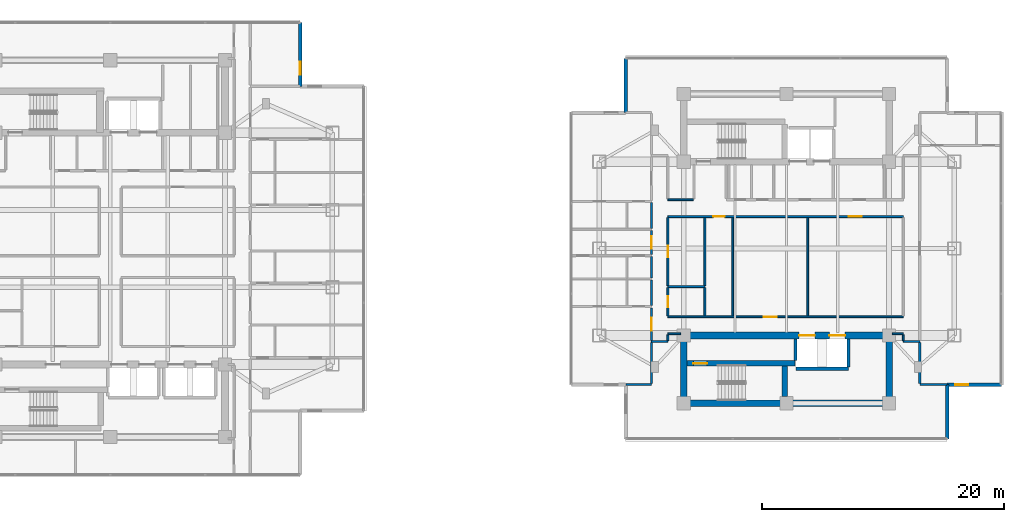
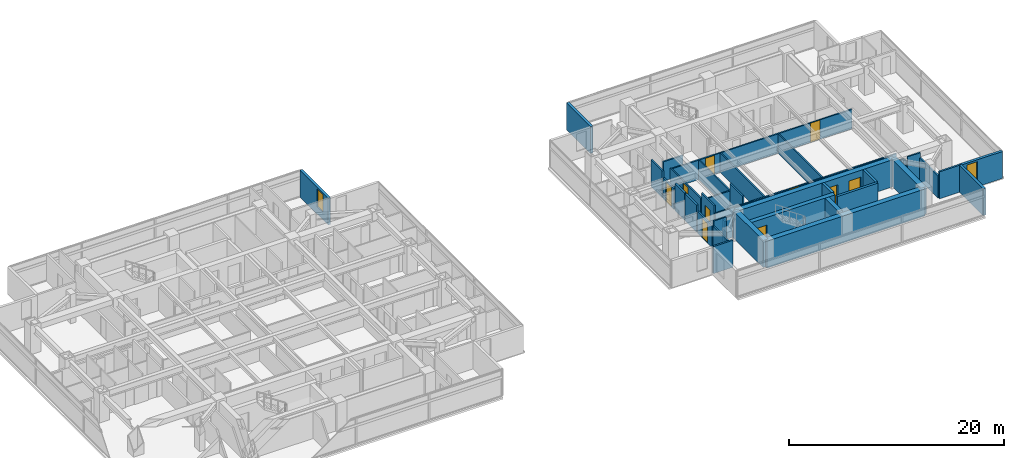
# One storey, part 17 of 25: 38 walls, 10 doors, 2 windows, 12 openings.
"""IFC4 building model written with IfcOpenShell, lengths in metres."""

import ifcopenshell
import ifcopenshell.guid

model = None  # the IFC model being written
_history = None  # IfcOwnerHistory: only IFC2X3 demands one
_inside = {}  # id of a spatial element -> (the spatial element, [elements in it])
_under = {}  # id of a project, library or spatial element -> (it, [spatial elements below it])
_declared = {}  # id of a project -> (the project, [libraries it declares])
_typed = {}  # id of a type object -> (the type object, [elements of that type])
_made_of = {}  # id of a material, layer set ... -> (it, [elements and type objects made of it])


def new_model(schema):
    """Start an empty IFC model of exactly this schema.

    Asked for "IFC4X3", IfcOpenShell would pick the latest addendum, in which some entities
    have other attributes; the version numbers below select the first issue.
    IFC2X3 requires an IfcOwnerHistory on every rooted entity: one is made here for all.
    """
    global model, _history
    if schema == "IFC4X3":
        model = ifcopenshell.file(schema_version=(4, 3, 0, 0))
    else:
        model = ifcopenshell.file(schema=schema)
    _inside.clear()
    _under.clear()
    _declared.clear()
    _typed.clear()
    _made_of.clear()
    _history = None
    if model.schema == "IFC2X3":
        org = make("IfcOrganization", Name="unknown")
        user = make(
            "IfcPersonAndOrganization",
            ThePerson=make("IfcPerson", FamilyName="unknown"),
            TheOrganization=org,
        )
        app = make(
            "IfcApplication",
            ApplicationDeveloper=org,
            Version="unknown",
            ApplicationFullName="unknown",
            ApplicationIdentifier="unknown",
        )
        _history = make(
            "IfcOwnerHistory",
            OwningUser=user,
            OwningApplication=app,
            ChangeAction="ADDED",
            CreationDate=0,
        )
    return model


def make(cls, **values):
    """One entity of the class cls with the attributes given. An attribute that is None is left unset."""
    return model.create_entity(
        cls, **{name: value for name, value in values.items() if value is not None}
    )


def rooted(cls, **values):
    """An entity with a GlobalId (a new one), such as an element, a storey or a relation."""
    return make(cls, GlobalId=ifcopenshell.guid.new(), OwnerHistory=_history, **values)


def si_unit(unit_type, name, prefix=None):
    """IfcSIUnit, for example si_unit("LENGTHUNIT", "METRE", prefix="MILLI")."""
    return make("IfcSIUnit", UnitType=unit_type, Prefix=prefix, Name=name)


def assignment(units):
    """IfcUnitAssignment: the units of a project."""
    return None if units is None else make("IfcUnitAssignment", Units=units)


def point(xyz):
    """IfcCartesianPoint."""
    return None if xyz is None else make("IfcCartesianPoint", Coordinates=xyz)


def direction(xyz):
    """IfcDirection."""
    return None if xyz is None else make("IfcDirection", DirectionRatios=xyz)


def frame(location, z_axis=None, x_axis=None):
    """IfcAxis2Placement3D, a coordinate frame: its origin and axes. An axis left out is left unset."""
    return make(
        "IfcAxis2Placement3D",
        Location=point(location),
        Axis=direction(z_axis),
        RefDirection=direction(x_axis),
    )


def frame_2d(location, x_axis=None):
    """IfcAxis2Placement2D, a coordinate frame in the plane: its origin and x axis."""
    return make(
        "IfcAxis2Placement2D", Location=point(location), RefDirection=direction(x_axis)
    )


def origin():
    """The frame at (0, 0, 0) with its axes left unset."""
    return frame((0.0, 0.0, 0.0))


def place(relative_to, where):
    """IfcLocalPlacement: puts the frame where relative to a parent placement (None: the world)."""
    return make(
        "IfcLocalPlacement", PlacementRelTo=relative_to, RelativePlacement=where
    )


def context(
    kind, dimensions, precision=None, world=None, true_north=None, identifier=None
):
    """IfcGeometricRepresentationContext, for example the 3D "Model" context."""
    return make(
        "IfcGeometricRepresentationContext",
        ContextIdentifier=identifier,
        ContextType=kind,
        CoordinateSpaceDimension=dimensions,
        Precision=precision,
        WorldCoordinateSystem=world,
        TrueNorth=true_north,
    )


def subcontext(parent, identifier, kind, view, scale=None):
    """IfcGeometricRepresentationSubContext, for example "Body" below "Model"."""
    return make(
        "IfcGeometricRepresentationSubContext",
        ContextIdentifier=identifier,
        ContextType=kind,
        ParentContext=parent,
        TargetScale=scale,
        TargetView=view,
    )


def project(units=None, contexts=None):
    """IfcProject with its units and contexts."""
    return rooted(
        "IfcProject",
        Name="project",
        RepresentationContexts=contexts,
        UnitsInContext=assignment(units),
    )


def spatial(cls, under=None, at=None, **own):
    """A site, building, storey or space (cls), placed at a placement, below another one or the project."""
    s = rooted(cls, ObjectPlacement=at, **own)
    if under is not None:
        _under.setdefault(under.id(), (under, []))[1].append(s)
    return s


def profile(cls, at=None, kind="AREA", **sizes):
    """A parametric profile (cls). Its sizes go by their IFC names, for example OverallWidth=200.0."""
    return make(cls, ProfileType=kind, Position=at, **sizes)


def rectangle(**sizes):
    """IfcRectangleProfileDef."""
    return profile("IfcRectangleProfileDef", **sizes)


def extrude(swept, where, along, depth):
    """IfcExtrudedAreaSolid: the profile swept, set in the frame where, extruded along a direction by depth."""
    return make(
        "IfcExtrudedAreaSolid",
        SweptArea=swept,
        Position=where,
        ExtrudedDirection=direction(along),
        Depth=depth,
    )


def shape(context_of_items, identifier, shape_type, items):
    """IfcShapeRepresentation: the items that make up one representation, for example the "Body"."""
    return make(
        "IfcShapeRepresentation",
        ContextOfItems=context_of_items,
        RepresentationIdentifier=identifier,
        RepresentationType=shape_type,
        Items=items,
    )


def material(Name=None, Category=None):
    """IfcMaterial."""
    return make("IfcMaterial", Name=Name, Category=Category)


def layer(
    of_material, thickness, ventilated=None, Name=None, Category=None, Priority=None
):
    """IfcMaterialLayer: one layer of a wall or slab, of a material (None: an air gap)."""
    return make(
        "IfcMaterialLayer",
        Material=of_material,
        LayerThickness=thickness,
        IsVentilated=ventilated,
        Name=Name,
        Category=Category,
        Priority=Priority,
    )


def layer_set(layers, Name=None):
    """IfcMaterialLayerSet."""
    return make("IfcMaterialLayerSet", MaterialLayers=layers, LayerSetName=Name)


def made_of(thing, what):
    """Note that an element or type object is made of a material, layer set ...; save() writes the relation."""
    if what is not None:
        _made_of.setdefault(what.id(), (what, []))[1].append(thing)
    return thing


def type_object(cls, material=None, **own):
    """A type object (cls), such as IfcWallType, which elements share."""
    return made_of(rooted(cls, **own), material)


def element(
    cls,
    number,
    at=None,
    inside=None,
    cuts=None,
    type_object=None,
    material=None,
    context=None,
    identifier="Body",
    shape_type=None,
    held_by="IfcProductDefinitionShape",
    body=None,
    shapes=None,
    **own,
):
    """One element of the class cls, such as IfcWall. Its Tag is "e" and its number.

    at: its placement. inside: the storey or other place that contains it. cuts: it is an
    opening in that element (IfcRelVoidsElement). A single representation is given by context,
    identifier, shape_type and body (its items); several are given by shapes. held_by: the class
    of the entity that holds the representations. save() writes the other relations.
    """
    e = rooted(cls, Tag="e%d" % number, ObjectPlacement=at, **own)
    if body is not None:
        shapes = [shape(context, identifier, shape_type, body)]
    if shapes is not None:
        e.Representation = make(held_by, Representations=shapes)
    if inside is not None:
        _inside.setdefault(inside.id(), (inside, []))[1].append(e)
    if cuts is not None:
        rooted(
            "IfcRelVoidsElement", RelatingBuildingElement=cuts, RelatedOpeningElement=e
        )
    if type_object is not None:
        _typed.setdefault(type_object.id(), (type_object, []))[1].append(e)
    return made_of(e, material)


def fill(opening, filler):
    """IfcRelFillsElement: the door or window that sits in an opening."""
    return rooted(
        "IfcRelFillsElement",
        RelatingOpeningElement=opening,
        RelatedBuildingElement=filler,
    )


def aggregate(whole, parts):
    """IfcRelAggregates: a whole, such as a stair, and the parts it consists of."""
    return rooted("IfcRelAggregates", RelatingObject=whole, RelatedObjects=parts)


def save(model, path):
    """Write the relations noted so far, then the file.

    IfcRelAggregates (storeys below a building ...), IfcRelContainedInSpatialStructure (elements
    in a storey), IfcRelDefinesByType, IfcRelAssociatesMaterial and IfcRelDeclares: one each for
    every whole, place, type object, material and project.
    """
    for whole, parts in _under.values():
        aggregate(whole, parts)
    for where, things in _inside.values():
        rooted(
            "IfcRelContainedInSpatialStructure",
            RelatedElements=things,
            RelatingStructure=where,
        )
    for kind, things in _typed.values():
        rooted("IfcRelDefinesByType", RelatedObjects=things, RelatingType=kind)
    for what, things in _made_of.values():
        rooted("IfcRelAssociatesMaterial", RelatedObjects=things, RelatingMaterial=what)
    for by, libraries in _declared.values():
        rooted("IfcRelDeclares", RelatingContext=by, RelatedDefinitions=libraries)
    model.write(path)


model = new_model("IFC4")

# Units and contexts
model_context = context("Model", 3, precision=1e-05, world=origin(), true_north=direction((0.0, 1.0)))
body_context = subcontext(model_context, "Body", "Model", "MODEL_VIEW")
ifc_project = project(units=[si_unit("LENGTHUNIT", "METRE"), si_unit("AREAUNIT", "SQUARE_METRE"), si_unit("VOLUMEUNIT", "CUBIC_METRE"), si_unit("PLANEANGLEUNIT", "RADIAN"), si_unit("MASSUNIT", "GRAM", prefix="KILO")], contexts=[model_context])

# Site, building, storey
site_placement = place(None, origin())
site = spatial("IfcSite", under=ifc_project, at=site_placement, CompositionType="ELEMENT")
building_placement = place(site_placement, origin())
building = spatial("IfcBuilding", under=site, at=building_placement, Name="Mirazonda Arch Towers", CompositionType="ELEMENT")
storey_placement = place(building_placement, frame((0.0, 0.0, 131.300048828125)))
storey = spatial("IfcBuildingStorey", under=building, at=storey_placement, Name="L37", CompositionType="ELEMENT", Elevation=131.300048828125)

# Wall, opening, door
ifc_material_1 = material(Name="Concrete C50/60", Category="concrete")
ifc_layer_1 = layer(ifc_material_1, 0.449951171875, Name="WALL-CORE-450")
ifc_layer_set_1 = layer_set([ifc_layer_1], Name="Concrete C50/60")
wall_type_1 = type_object("IfcWallType", Name="WALL-CORE-450", PredefinedType="SHEAR", material=ifc_layer_set_1)
wall_1_placement = place(storey_placement, frame((68.27001953125, 18.5, 0.0), z_axis=(0.0, 0.0, 1.0), x_axis=(1.0, 0.0, 0.0)))
wall_1 = element("IfcWall", 1, at=wall_1_placement, inside=storey, type_object=wall_type_1, Name="L37 Stair Core Shear Wall 014", PredefinedType="SHEAR", context=body_context, shape_type="SweptSolid", body=[
    extrude(rectangle(XDim=8.949951171875, YDim=0.449951171875, at=frame_2d((4.47509765625, 0.0))), origin(), (0.0, 0.0, 1.0), 3.079833984375),
])
opening_1_placement = place(wall_1_placement, frame((0.52001953125, 0.0, 0.0)))
opening_1 = element("IfcOpeningElement", 2, at=opening_1_placement, cuts=wall_1, Name="Opening DR-135", PredefinedType="OPENING", context=body_context, shape_type="SweptSolid", body=[
    extrude(rectangle(XDim=1.14990234375, YDim=2.199951171875, at=frame_2d((0.574951171875, 1.10009765625))), frame((0.0, 0.23486328125, 0.0), z_axis=(0.0, -1.0, 0.0), x_axis=(1.0, 0.0, 0.0)), (0.0, 0.0, 1.0), 0.469970703125),
])
ifc_material_2 = material(Name="Architectural Brushed Steel S355", Category="steel")
door_type_1 = type_object("IfcDoorType", Name="DOOR-STAIR-FD90-1150", OperationType="NOTDEFINED", PredefinedType="DOOR", material=ifc_material_2)
door_1_placement = place(opening_1_placement, origin())
door_1 = element("IfcDoor", 3, at=door_1_placement, inside=storey, type_object=door_type_1, Name="L37 East Protected Stair South Door", OperationType="SINGLE_SWING_RIGHT", OverallHeight=2.199951171875, OverallWidth=1.14990234375, PredefinedType="DOOR", context=body_context, shape_type="SweptSolid", body=[
    extrude(rectangle(XDim=1.14990234375, YDim=2.199951171875, at=frame_2d((0.574951171875, 1.10009765625))), frame((0.0, 0.02490234375, 0.0), z_axis=(0.0, -1.0, 0.0), x_axis=(1.0, 0.0, 0.0)), (0.0, 0.0, 1.0), 0.050048828125),
])
fill(opening_1, door_1)

# Walls
wall_2_placement = place(storey_placement, frame((76.360107421875, 15.764892578125, 0.0), z_axis=(0.0, 0.0, 1.0), x_axis=(0.0, 1.0, 0.0)))
element("IfcWall", 4, at=wall_2_placement, inside=storey, type_object=wall_type_1, Name="L37 Stair Core Shear Wall 147", PredefinedType="SHEAR", context=body_context, shape_type="SweptSolid", body=[
    extrude(rectangle(XDim=2.5, YDim=0.449951171875, at=frame_2d((1.25, 0.0))), origin(), (0.0, 0.0, 1.0), 3.079833984375),
])
ifc_layer_2 = layer(ifc_material_1, 0.550048828125, Name="WALL-CORE-550")
ifc_layer_set_2 = layer_set([ifc_layer_2], Name="Concrete C50/60")
wall_type_2 = type_object("IfcWallType", Name="WALL-CORE-550", PredefinedType="SHEAR", material=ifc_layer_set_2)
wall_3_placement = place(storey_placement, frame((68.0, 15.199951171875, 0.0), z_axis=(0.0, 0.0, 1.0), x_axis=(1.0, 0.0, 0.0)))
element("IfcWall", 5, at=wall_3_placement, inside=storey, type_object=wall_type_2, Name="L37 T2S-S Core Shear Wall", PredefinedType="SHEAR", context=body_context, shape_type="SweptSolid", body=[
    extrude(rectangle(XDim=17.0, YDim=0.550048828125, at=frame_2d((8.5, 0.0))), origin(), (0.0, 0.0, 1.0), 3.079833984375),
])
for number, where, z_axis, x_axis, name in (
    (6, (68.0, 15.199951171875, 0.0), (0.0, 0.0, 1.0), (0.0, 1.0, 0.0), "L37 T2S-W Core Shear Wall"),
    (7, (85.0, 15.199951171875, 0.0), (0.0, 0.0, 1.0), (0.0, 1.0, 0.0), "L37 T2S-E Core Shear Wall"),
):
    element("IfcWall", number, at=place(storey_placement, frame(where, z_axis=z_axis, x_axis=x_axis)), inside=storey, type_object=wall_type_2, Name=name, PredefinedType="SHEAR", context=body_context, shape_type="SweptSolid", body=[
        extrude(rectangle(XDim=5.60009765625, YDim=0.550048828125, at=frame_2d((2.800048828125, 0.0))), origin(), (0.0, 0.0, 1.0), 3.079833984375),
    ])

# Wall, openings, doors
wall_4_placement = place(storey_placement, frame((68.0, 20.800048828125, 0.0), z_axis=(0.0, 0.0, 1.0), x_axis=(1.0, 0.0, 0.0)))
wall_4 = element("IfcWall", 8, at=wall_4_placement, inside=storey, type_object=wall_type_2, Name="L37 T2S-N Core Shear Wall", PredefinedType="SHEAR", context=body_context, shape_type="SweptSolid", body=[
    extrude(rectangle(XDim=17.0, YDim=0.550048828125, at=frame_2d((8.5, 0.0))), origin(), (0.0, 0.0, 1.0), 3.079833984375),
])
opening_2_placement = place(wall_4_placement, frame((9.550048828125, 0.0, 0.0)))
opening_2 = element("IfcOpeningElement", 9, at=opening_2_placement, cuts=wall_4, Name="Opening LD-111", PredefinedType="OPENING", context=body_context, shape_type="SweptSolid", body=[
    extrude(rectangle(XDim=1.300048828125, YDim=2.300048828125, at=frame_2d((0.64990234375, 1.14990234375))), frame((0.0, 0.284912109375, 0.0), z_axis=(0.0, -1.0, 0.0), x_axis=(1.0, 0.0, 0.0)), (0.0, 0.0, 1.0), 0.570068359375),
])
opening_3_placement = place(wall_4_placement, frame((12.050048828125, 0.0, 0.0)))
opening_3 = element("IfcOpeningElement", 10, at=opening_3_placement, cuts=wall_4, Name="Opening LD-111", PredefinedType="OPENING", context=body_context, shape_type="SweptSolid", body=[
    extrude(rectangle(XDim=1.300048828125, YDim=2.300048828125, at=frame_2d((0.64990234375, 1.14990234375))), frame((0.0, 0.284912109375, 0.0), z_axis=(0.0, -1.0, 0.0), x_axis=(1.0, 0.0, 0.0)), (0.0, 0.0, 1.0), 0.570068359375),
])
door_type_2 = type_object("IfcDoorType", Name="DOOR-LIFT-LAND-1300", OperationType="NOTDEFINED", PredefinedType="DOOR", material=ifc_material_2)
door_2_placement = place(opening_2_placement, origin())
door_2 = element("IfcDoor", 11, at=door_2_placement, inside=storey, type_object=door_type_2, Name="L37 Lift Landing Sliding Door PL-T2H1", OperationType="DOUBLE_DOOR_SLIDING", OverallHeight=2.300048828125, OverallWidth=1.300048828125, PredefinedType="DOOR", context=body_context, shape_type="SweptSolid", body=[
    extrude(rectangle(XDim=1.300048828125, YDim=2.300048828125, at=frame_2d((0.64990234375, 1.14990234375))), frame((0.0, 0.02490234375, 0.0), z_axis=(0.0, -1.0, 0.0), x_axis=(1.0, 0.0, 0.0)), (0.0, 0.0, 1.0), 0.050048828125),
])
fill(opening_2, door_2)
door_3_placement = place(opening_3_placement, origin())
door_3 = element("IfcDoor", 12, at=door_3_placement, inside=storey, type_object=door_type_2, Name="L37 Lift Landing Sliding Door PL-T2H2", OperationType="DOUBLE_DOOR_SLIDING", OverallHeight=2.300048828125, OverallWidth=1.300048828125, PredefinedType="DOOR", context=body_context, shape_type="SweptSolid", body=[
    extrude(rectangle(XDim=1.300048828125, YDim=2.300048828125, at=frame_2d((0.64990234375, 1.14990234375))), frame((0.0, 0.02490234375, 0.0), z_axis=(0.0, -1.0, 0.0), x_axis=(1.0, 0.0, 0.0)), (0.0, 0.0, 1.0), 0.050048828125),
])
fill(opening_3, door_3)

# Wall, opening, window
ifc_material_3 = material(Name="Precast Concrete C40/50", Category="concrete")
ifc_layer_3 = layer(ifc_material_3, 0.280029296875, Name="WALL-EXT-WALL-280")
ifc_layer_set_3 = layer_set([ifc_layer_3], Name="Precast Concrete C40/50")
wall_type_3 = type_object("IfcWallType", Name="WALL-EXT-WALL-280", PredefinedType="SOLIDWALL", material=ifc_layer_set_3)
wall_5_placement = place(storey_placement, frame((36.22998046875, 41.44189453125, 0.0), z_axis=(0.0, 0.0, 1.0), x_axis=(0.0, 1.0, 0.0)))
wall_5 = element("IfcWall", 13, at=wall_5_placement, inside=storey, type_object=wall_type_3, Name="L37 T1 Notched NE Corner Wall WL-L37-T1-CNE", PredefinedType="SOLIDWALL", context=body_context, shape_type="SweptSolid", body=[
    extrude(rectangle(XDim=5.27001953125, YDim=0.280029296875, at=frame_2d((2.635009765625, 0.0))), origin(), (0.0, 0.0, 1.0), 3.06005859375),
])
opening_4_placement = place(wall_5_placement, frame((0.949951171875, 0.0, 0.85009765625)))
opening_4 = element("IfcOpeningElement", 14, at=opening_4_placement, cuts=wall_5, Name="Opening WN-108", PredefinedType="OPENING", context=body_context, shape_type="SweptSolid", body=[
    extrude(rectangle(XDim=1.10009765625, YDim=2.0, at=frame_2d((0.550048828125, 1.0))), frame((0.0, 0.14990234375, 0.0), z_axis=(0.0, -1.0, 0.0), x_axis=(1.0, 0.0, 0.0)), (0.0, 0.0, 1.0), 0.300048828125),
])
ifc_material_4 = material(Name="Insulated Low-E Solar Glass", Category="glass")
window_type = type_object("IfcWindowType", Name="WIN-NOTCH-1100x2000", PartitioningType="SINGLE_PANEL", PredefinedType="WINDOW", material=ifc_material_4)
window_1_placement = place(opening_4_placement, origin())
window_1 = element("IfcWindow", 15, at=window_1_placement, inside=storey, type_object=window_type, Name="L37 Punched Facade Window WN-L37-T1-CNE", OverallHeight=2.0, OverallWidth=1.10009765625, PartitioningType="SINGLE_PANEL", PredefinedType="WINDOW", context=body_context, shape_type="SweptSolid", body=[
    extrude(rectangle(XDim=1.10009765625, YDim=2.0, at=frame_2d((0.550048828125, 1.0))), frame((0.0, 0.030029296875, 0.0), z_axis=(0.0, -1.0, 0.0), x_axis=(1.0, 0.0, 0.0)), (0.0, 0.0, 1.0), 0.06005859375),
])
fill(opening_4, window_1)

wall_6_placement = place(storey_placement, frame((89.810546875, 16.734375, 0.0), z_axis=(0.0, 0.0, 1.0), x_axis=(1.0, 0.0, 0.0)))
wall_6 = element("IfcWall", 16, at=wall_6_placement, inside=storey, type_object=wall_type_3, Name="L37 T2 Corner Notch Return Wall WL-L37-T2-CSE1", PredefinedType="SOLIDWALL", context=body_context, shape_type="SweptSolid", body=[
    extrude(rectangle(XDim=4.486572265625, YDim=0.280029296875, at=frame_2d((2.2431640625, 0.0))), origin(), (0.0, 0.0, 1.0), 3.06005859375),
])
opening_5_placement = place(wall_6_placement, frame((0.64990234375, 0.0, 0.85009765625)))
opening_5 = element("IfcOpeningElement", 17, at=opening_5_placement, cuts=wall_6, Name="Opening WN-108", PredefinedType="OPENING", context=body_context, shape_type="SweptSolid", body=[
    extrude(rectangle(XDim=1.10009765625, YDim=2.0, at=frame_2d((0.550048828125, 1.0))), frame((0.0, 0.14990234375, 0.0), z_axis=(0.0, -1.0, 0.0), x_axis=(1.0, 0.0, 0.0)), (0.0, 0.0, 1.0), 0.300048828125),
])
window_2_placement = place(opening_5_placement, origin())
window_2 = element("IfcWindow", 18, at=window_2_placement, inside=storey, type_object=window_type, Name="L37 Punched Facade Window WN-L37-T2-CSE1", OverallHeight=2.0, OverallWidth=1.10009765625, PartitioningType="SINGLE_PANEL", PredefinedType="WINDOW", context=body_context, shape_type="SweptSolid", body=[
    extrude(rectangle(XDim=1.10009765625, YDim=2.0, at=frame_2d((0.550048828125, 1.0))), frame((0.0, 0.030029296875, 0.0), z_axis=(0.0, -1.0, 0.0), x_axis=(1.0, 0.0, 0.0)), (0.0, 0.0, 1.0), 0.06005859375),
])
fill(opening_5, window_2)

# Walls
for number, where, z_axis, x_axis, name in (
    (19, (89.810546875, 12.247802734375, 0.0), (0.0, 0.0, 1.0), (0.0, 1.0, 0.0), "L37 T2 Corner Notch Return Wall WL-L37-T2-CSE2"),
    (20, (63.189453125, 43.752197265625, 0.0), (0.0, 0.0, 1.0), (0.0, -1.0, 0.0), "L37 T2 Corner Notch Return Wall WL-L37-T2-CNW2"),
):
    element("IfcWall", number, at=place(storey_placement, frame(where, z_axis=z_axis, x_axis=x_axis)), inside=storey, type_object=wall_type_3, Name=name, PredefinedType="SOLIDWALL", context=body_context, shape_type="SweptSolid", body=[
        extrude(rectangle(XDim=4.486572265625, YDim=0.280029296875, at=frame_2d((2.2431640625, 0.0))), origin(), (0.0, 0.0, 1.0), 3.06005859375),
    ])
ifc_material_5 = material(Name="Fire-Rated Gypsum Stud Partition")
ifc_layer_4 = layer(ifc_material_5, 0.14990234375, Name="WALL-PART-CORR-150")
ifc_layer_set_4 = layer_set([ifc_layer_4], Name="Fire-Rated Gypsum Stud Partition")
wall_type_4 = type_object("IfcWallType", Name="WALL-PART-CORR-150", PredefinedType="PARTITIONING", material=ifc_layer_set_4)
wall_7_placement = place(storey_placement, frame((65.320068359375, 20.300048828125, 0.0), z_axis=(0.0, 0.0, 1.0), x_axis=(1.0, 0.0, 0.0)))
element("IfcWall", 21, at=wall_7_placement, inside=storey, type_object=wall_type_4, Name="L37 Interior Partition 018", PredefinedType="PARTITIONING", context=body_context, shape_type="SweptSolid", body=[
    extrude(rectangle(XDim=1.35986328125, YDim=0.14990234375, at=frame_2d((0.679931640625, 0.0))), origin(), (0.0, 0.0, 1.0), 3.079833984375),
])
wall_8_placement = place(storey_placement, frame((86.179931640625, 20.300048828125, 0.0), z_axis=(0.0, 0.0, 1.0), x_axis=(1.0, 0.0, 0.0)))
element("IfcWall", 22, at=wall_8_placement, inside=storey, type_object=wall_type_4, Name="L37 Interior Partition 019", PredefinedType="PARTITIONING", context=body_context, shape_type="SweptSolid", body=[
    extrude(rectangle(XDim=1.360107421875, YDim=0.14990234375, at=frame_2d((0.68017578125, 0.0))), origin(), (0.0, 0.0, 1.0), 3.079833984375),
])
wall_9_placement = place(storey_placement, frame((66.679931640625, 20.949951171875, 0.0), z_axis=(0.0, 0.0, 1.0), x_axis=(1.0, 0.0, 0.0)))
element("IfcWall", 23, at=wall_9_placement, inside=storey, type_object=wall_type_4, Name="L37 Interior Partition 020", PredefinedType="PARTITIONING", context=body_context, shape_type="SweptSolid", body=[
    extrude(rectangle(XDim=1.050048828125, YDim=0.14990234375, at=frame_2d((0.52490234375, 0.0))), origin(), (0.0, 0.0, 1.0), 2.471923828125),
])
wall_10_placement = place(storey_placement, frame((85.27001953125, 20.949951171875, 0.0), z_axis=(0.0, 0.0, 1.0), x_axis=(1.0, 0.0, 0.0)))
element("IfcWall", 24, at=wall_10_placement, inside=storey, type_object=wall_type_4, Name="L37 Interior Partition 021", PredefinedType="PARTITIONING", context=body_context, shape_type="SweptSolid", body=[
    extrude(rectangle(XDim=0.909912109375, YDim=0.14990234375, at=frame_2d((0.455078125, 0.0))), origin(), (0.0, 0.0, 1.0), 2.471923828125),
])

# Wall, opening, door
wall_11_placement = place(storey_placement, frame((66.679931640625, 22.35009765625, 0.0), z_axis=(0.0, 0.0, 1.0), x_axis=(1.0, 0.0, 0.0)))
wall_11 = element("IfcWall", 25, at=wall_11_placement, inside=storey, type_object=wall_type_4, Name="L37 Interior Partition 023", PredefinedType="PARTITIONING", context=body_context, shape_type="SweptSolid", body=[
    extrude(rectangle(XDim=19.5, YDim=0.14990234375, at=frame_2d((9.75, 0.0))), origin(), (0.0, 0.0, 1.0), 2.216064453125),
])
opening_6_placement = place(wall_11_placement, frame((7.95361328125, 0.0, 0.0)))
opening_6 = element("IfcOpeningElement", 26, at=opening_6_placement, cuts=wall_11, Name="Opening DR-121", PredefinedType="OPENING", context=body_context, shape_type="SweptSolid", body=[
    extrude(rectangle(XDim=1.050048828125, YDim=2.199951171875, at=frame_2d((0.52490234375, 1.10009765625))), frame((0.0, 0.0849609375, 0.0), z_axis=(0.0, -1.0, 0.0), x_axis=(1.0, 0.0, 0.0)), (0.0, 0.0, 1.0), 0.169921875),
])
door_type_3 = type_object("IfcDoorType", Name="DOOR-SUITE-FD60-1050", OperationType="NOTDEFINED", PredefinedType="DOOR", material=ifc_material_2)
door_4_placement = place(opening_6_placement, origin())
door_4 = element("IfcDoor", 27, at=door_4_placement, inside=storey, type_object=door_type_3, Name="L37 Executive Club Lounge Door", OperationType="SINGLE_SWING_RIGHT", OverallHeight=2.199951171875, OverallWidth=1.050048828125, PredefinedType="DOOR", context=body_context, shape_type="SweptSolid", body=[
    extrude(rectangle(XDim=1.050048828125, YDim=2.199951171875, at=frame_2d((0.52490234375, 1.10009765625))), frame((0.0, 0.02490234375, 0.0), z_axis=(0.0, -1.0, 0.0), x_axis=(1.0, 0.0, 0.0)), (0.0, 0.0, 1.0), 0.050048828125),
])
fill(opening_6, door_4)

# Wall
wall_12_placement = place(storey_placement, frame((66.679931640625, 24.85009765625, 0.0), z_axis=(0.0, 0.0, 1.0), x_axis=(1.0, 0.0, 0.0)))
element("IfcWall", 28, at=wall_12_placement, inside=storey, type_object=wall_type_4, Name="L37 Interior Partition 026", PredefinedType="PARTITIONING", context=body_context, shape_type="SweptSolid", body=[
    extrude(rectangle(XDim=3.070068359375, YDim=0.14990234375, at=frame_2d((1.53515625, 0.0))), origin(), (0.0, 0.0, 1.0), 2.216064453125),
])

# Wall, openings, doors
wall_13_placement = place(storey_placement, frame((66.679931640625, 30.64990234375, 0.0), z_axis=(0.0, 0.0, 1.0), x_axis=(1.0, 0.0, 0.0)))
wall_13 = element("IfcWall", 29, at=wall_13_placement, inside=storey, type_object=wall_type_4, Name="L37 Interior Partition 038", PredefinedType="PARTITIONING", context=body_context, shape_type="SweptSolid", body=[
    extrude(rectangle(XDim=19.5, YDim=0.14990234375, at=frame_2d((9.75, 0.0))), origin(), (0.0, 0.0, 1.0), 2.216064453125),
])
opening_7_placement = place(wall_13_placement, frame((3.7451171875, 0.0, 0.0)))
opening_7 = element("IfcOpeningElement", 30, at=opening_7_placement, cuts=wall_13, Name="Opening DR-104", PredefinedType="OPENING", context=body_context, shape_type="SweptSolid", body=[
    extrude(rectangle(XDim=0.949951171875, YDim=2.14990234375, at=frame_2d((0.47509765625, 1.074951171875))), frame((0.0, 0.0849609375, 0.0), z_axis=(0.0, -1.0, 0.0), x_axis=(1.0, 0.0, 0.0)), (0.0, 0.0, 1.0), 0.169921875),
])
opening_8_placement = place(wall_13_placement, frame((14.99853515625, 0.0, 0.0)))
opening_8 = element("IfcOpeningElement", 31, at=opening_8_placement, cuts=wall_13, Name="Opening DR-121", PredefinedType="OPENING", context=body_context, shape_type="SweptSolid", body=[
    extrude(rectangle(XDim=1.050048828125, YDim=2.199951171875, at=frame_2d((0.52490234375, 1.10009765625))), frame((0.0, 0.0849609375, 0.0), z_axis=(0.0, -1.0, 0.0), x_axis=(1.0, 0.0, 0.0)), (0.0, 0.0, 1.0), 0.169921875),
])
door_type_4 = type_object("IfcDoorType", Name="DOOR-ROOM-950", OperationType="NOTDEFINED", PredefinedType="DOOR", material=ifc_material_2)
door_5_placement = place(opening_7_placement, origin())
door_5 = element("IfcDoor", 32, at=door_5_placement, inside=storey, type_object=door_type_4, Name="L37 L37 East Courtyard Study Door", OperationType="SINGLE_SWING_LEFT", OverallHeight=2.14990234375, OverallWidth=0.949951171875, PredefinedType="DOOR", context=body_context, shape_type="SweptSolid", body=[
    extrude(rectangle(XDim=0.949951171875, YDim=2.14990234375, at=frame_2d((0.47509765625, 1.074951171875))), frame((0.0, 0.02490234375, 0.0), z_axis=(0.0, -1.0, 0.0), x_axis=(1.0, 0.0, 0.0)), (0.0, 0.0, 1.0), 0.050048828125),
])
fill(opening_7, door_5)
door_6_placement = place(opening_8_placement, origin())
door_6 = element("IfcDoor", 33, at=door_6_placement, inside=storey, type_object=door_type_3, Name="L37 Business Reading Study Door", OperationType="SINGLE_SWING_LEFT", OverallHeight=2.199951171875, OverallWidth=1.050048828125, PredefinedType="DOOR", context=body_context, shape_type="SweptSolid", body=[
    extrude(rectangle(XDim=1.050048828125, YDim=2.199951171875, at=frame_2d((0.52490234375, 1.10009765625))), frame((0.0, 0.02490234375, 0.0), z_axis=(0.0, -1.0, 0.0), x_axis=(1.0, 0.0, 0.0)), (0.0, 0.0, 1.0), 0.050048828125),
])
fill(opening_8, door_6)

# Walls
wall_14_placement = place(storey_placement, frame((66.679931640625, 32.050048828125, 0.0), z_axis=(0.0, 0.0, 1.0), x_axis=(1.0, 0.0, 0.0)))
element("IfcWall", 34, at=wall_14_placement, inside=storey, type_object=wall_type_4, Name="L37 Interior Partition 042", PredefinedType="PARTITIONING", context=body_context, shape_type="SweptSolid", body=[
    extrude(rectangle(XDim=2.1201171875, YDim=0.14990234375, at=frame_2d((1.06005859375, 0.0))), origin(), (0.0, 0.0, 1.0), 2.216064453125),
])
wall_15_placement = place(storey_placement, frame((66.679931640625, 20.385009765625, 0.0), z_axis=(0.0, 0.0, 1.0), x_axis=(0.0, 1.0, 0.0)))
element("IfcWall", 35, at=wall_15_placement, inside=storey, type_object=wall_type_4, Name="L37 Interior Partition 135", PredefinedType="PARTITIONING", context=body_context, shape_type="SweptSolid", body=[
    extrude(rectangle(XDim=0.47998046875, YDim=0.14990234375, at=frame_2d((0.239990234375, 0.0))), origin(), (0.0, 0.0, 1.0), 2.471923828125),
])

# Wall, opening, door
wall_16_placement = place(storey_placement, frame((66.679931640625, 22.43505859375, 0.0), z_axis=(0.0, 0.0, 1.0), x_axis=(0.0, 1.0, 0.0)))
wall_16 = element("IfcWall", 36, at=wall_16_placement, inside=storey, type_object=wall_type_4, Name="L37 Interior Partition 136", PredefinedType="PARTITIONING", context=body_context, shape_type="SweptSolid", body=[
    extrude(rectangle(XDim=2.329833984375, YDim=0.14990234375, at=frame_2d((1.1650390625, 0.0))), origin(), (0.0, 0.0, 1.0), 3.079833984375),
])
opening_9_placement = place(wall_16_placement, frame((0.715087890625, 0.0, 0.0)))
opening_9 = element("IfcOpeningElement", 37, at=opening_9_placement, cuts=wall_16, Name="Opening DR-120", PredefinedType="OPENING", context=body_context, shape_type="SweptSolid", body=[
    extrude(rectangle(XDim=0.89990234375, YDim=2.10009765625, at=frame_2d((0.449951171875, 1.050048828125))), frame((0.0, 0.0849609375, 0.0), z_axis=(0.0, -1.0, 0.0), x_axis=(1.0, 0.0, 0.0)), (0.0, 0.0, 1.0), 0.169921875),
])
door_type_5 = type_object("IfcDoorType", Name="DOOR-WC-900", OperationType="NOTDEFINED", PredefinedType="DOOR", material=ifc_material_2)
door_7_placement = place(opening_9_placement, origin())
door_7 = element("IfcDoor", 38, at=door_7_placement, inside=storey, type_object=door_type_5, Name="L37 Tower 2 Common Accessible WC Door", OperationType="SINGLE_SWING_LEFT", OverallHeight=2.10009765625, OverallWidth=0.89990234375, PredefinedType="DOOR", context=body_context, shape_type="SweptSolid", body=[
    extrude(rectangle(XDim=0.89990234375, YDim=2.10009765625, at=frame_2d((0.449951171875, 1.050048828125))), frame((0.0, 0.02490234375, 0.0), z_axis=(0.0, -1.0, 0.0), x_axis=(1.0, 0.0, 0.0)), (0.0, 0.0, 1.0), 0.050048828125),
])
fill(opening_9, door_7)

wall_17_placement = place(storey_placement, frame((66.679931640625, 24.93505859375, 0.0), z_axis=(0.0, 0.0, 1.0), x_axis=(0.0, 1.0, 0.0)))
wall_17 = element("IfcWall", 39, at=wall_17_placement, inside=storey, type_object=wall_type_4, Name="L37 Interior Partition 137", PredefinedType="PARTITIONING", context=body_context, shape_type="SweptSolid", body=[
    extrude(rectangle(XDim=5.6298828125, YDim=0.14990234375, at=frame_2d((2.81494140625, 0.0))), origin(), (0.0, 0.0, 1.0), 2.3759765625),
])
opening_10_placement = place(wall_17_placement, frame((2.340087890625, 0.0, 0.0)))
opening_10 = element("IfcOpeningElement", 40, at=opening_10_placement, cuts=wall_17, Name="Opening DR-104", PredefinedType="OPENING", context=body_context, shape_type="SweptSolid", body=[
    extrude(rectangle(XDim=0.949951171875, YDim=2.14990234375, at=frame_2d((0.47509765625, 1.074951171875))), frame((0.0, 0.0849609375, 0.0), z_axis=(0.0, -1.0, 0.0), x_axis=(1.0, 0.0, 0.0)), (0.0, 0.0, 1.0), 0.169921875),
])
door_8_placement = place(opening_10_placement, origin())
door_8 = element("IfcDoor", 41, at=door_8_placement, inside=storey, type_object=door_type_4, Name="L37 L37 East Courtyard Reading Study Door", OperationType="SINGLE_SWING_RIGHT", OverallHeight=2.14990234375, OverallWidth=0.949951171875, PredefinedType="DOOR", context=body_context, shape_type="SweptSolid", body=[
    extrude(rectangle(XDim=0.949951171875, YDim=2.14990234375, at=frame_2d((0.47509765625, 1.074951171875))), frame((0.0, 0.02490234375, 0.0), z_axis=(0.0, -1.0, 0.0), x_axis=(1.0, 0.0, 0.0)), (0.0, 0.0, 1.0), 0.050048828125),
])
fill(opening_10, door_8)

# Walls
wall_18_placement = place(storey_placement, frame((69.743408203125, 22.43505859375, 0.0), z_axis=(0.0, 0.0, 1.0), x_axis=(0.0, 1.0, 0.0)))
element("IfcWall", 42, at=wall_18_placement, inside=storey, type_object=wall_type_4, Name="L37 Interior Partition 140", PredefinedType="PARTITIONING", context=body_context, shape_type="SweptSolid", body=[
    extrude(rectangle(XDim=2.329833984375, YDim=0.14990234375, at=frame_2d((1.1650390625, 0.0))), origin(), (0.0, 0.0, 1.0), 3.079833984375),
])
wall_19_placement = place(storey_placement, frame((69.743408203125, 24.93505859375, 0.0), z_axis=(0.0, 0.0, 1.0), x_axis=(0.0, 1.0, 0.0)))
element("IfcWall", 43, at=wall_19_placement, inside=storey, type_object=wall_type_4, Name="L37 Interior Partition 141", PredefinedType="PARTITIONING", context=body_context, shape_type="SweptSolid", body=[
    extrude(rectangle(XDim=5.6298828125, YDim=0.14990234375, at=frame_2d((2.81494140625, 0.0))), origin(), (0.0, 0.0, 1.0), 2.216064453125),
])
for number, where, z_axis, x_axis, name in (
    (44, (72.050048828125, 22.43505859375, 0.0), (0.0, 0.0, 1.0), (0.0, 1.0, 0.0), "L37 Interior Partition 144"),
    (45, (78.26708984375, 22.43505859375, 0.0), (0.0, 0.0, 1.0), (0.0, 1.0, 0.0), "L37 Interior Partition 150"),
):
    element("IfcWall", number, at=place(storey_placement, frame(where, z_axis=z_axis, x_axis=x_axis)), inside=storey, type_object=wall_type_4, Name=name, PredefinedType="PARTITIONING", context=body_context, shape_type="SweptSolid", body=[
        extrude(rectangle(XDim=8.1298828125, YDim=0.14990234375, at=frame_2d((4.06494140625, 0.0))), origin(), (0.0, 0.0, 1.0), 2.216064453125),
    ])
wall_20_placement = place(storey_placement, frame((86.179931640625, 20.385009765625, 0.0), z_axis=(0.0, 0.0, 1.0), x_axis=(0.0, 1.0, 0.0)))
element("IfcWall", 46, at=wall_20_placement, inside=storey, type_object=wall_type_4, Name="L37 Interior Partition 156", PredefinedType="PARTITIONING", context=body_context, shape_type="SweptSolid", body=[
    extrude(rectangle(XDim=0.47998046875, YDim=0.14990234375, at=frame_2d((0.239990234375, 0.0))), origin(), (0.0, 0.0, 1.0), 2.471923828125),
])
ifc_material_6 = material(Name="Fire-Rated Gypsum Twin-Stud Assembly")
ifc_layer_5 = layer(ifc_material_6, 0.179931640625, Name="WALL-PART-DEMISE-180")
ifc_layer_set_5 = layer_set([ifc_layer_5], Name="Fire-Rated Gypsum Twin-Stud Assembly")
wall_type_5 = type_object("IfcWallType", Name="WALL-PART-DEMISE-180", PredefinedType="PARTITIONING", material=ifc_layer_set_5)
wall_21_placement = place(storey_placement, frame((63.20947265625, 16.73388671875, 0.0), z_axis=(0.0, 0.0, 1.0), x_axis=(1.0, 0.0, 0.0)))
element("IfcWall", 47, at=wall_21_placement, inside=storey, type_object=wall_type_5, Name="L37 Interior Partition 009", PredefinedType="PARTITIONING", context=body_context, shape_type="SweptSolid", body=[
    extrude(rectangle(XDim=2.110595703125, YDim=0.179931640625, at=frame_2d((1.05517578125, 0.0))), origin(), (0.0, 0.0, 1.0), 3.079833984375),
])
wall_22_placement = place(storey_placement, frame((87.5400390625, 16.73388671875, 0.0), z_axis=(0.0, 0.0, 1.0), x_axis=(1.0, 0.0, 0.0)))
element("IfcWall", 48, at=wall_22_placement, inside=storey, type_object=wall_type_5, Name="L37 Interior Partition 010", PredefinedType="PARTITIONING", context=body_context, shape_type="SweptSolid", body=[
    extrude(rectangle(XDim=2.25048828125, YDim=0.179931640625, at=frame_2d((1.125244140625, 0.0))), origin(), (0.0, 0.0, 1.0), 3.079833984375),
])
wall_23_placement = place(storey_placement, frame((65.320068359375, 16.833984375, 0.0), z_axis=(0.0, 0.0, 1.0), x_axis=(0.0, 1.0, 0.0)))
element("IfcWall", 49, at=wall_23_placement, inside=storey, type_object=wall_type_5, Name="L37 Interior Partition 127", PredefinedType="PARTITIONING", context=body_context, shape_type="SweptSolid", body=[
    extrude(rectangle(XDim=3.381103515625, YDim=0.179931640625, at=frame_2d((1.6904296875, 0.0))), origin(), (0.0, 0.0, 1.0), 2.52294921875),
])

# Wall, opening, door
wall_24_placement = place(storey_placement, frame((65.320068359375, 20.385009765625, 0.0), z_axis=(0.0, 0.0, 1.0), x_axis=(0.0, 1.0, 0.0)))
wall_24 = element("IfcWall", 50, at=wall_24_placement, inside=storey, type_object=wall_type_5, Name="L37 Interior Partition 128", PredefinedType="PARTITIONING", context=body_context, shape_type="SweptSolid", body=[
    extrude(rectangle(XDim=2.70703125, YDim=0.179931640625, at=frame_2d((1.353515625, 0.0))), origin(), (0.0, 0.0, 1.0), 2.471923828125),
])
opening_11_placement = place(wall_24_placement, frame((0.82861328125, 0.0, 0.0)))
opening_11 = element("IfcOpeningElement", 51, at=opening_11_placement, cuts=wall_24, Name="Opening DR-121", PredefinedType="OPENING", context=body_context, shape_type="SweptSolid", body=[
    extrude(rectangle(XDim=1.050048828125, YDim=2.199951171875, at=frame_2d((0.52490234375, 1.10009765625))), frame((0.0, 0.099853515625, 0.0), z_axis=(0.0, -1.0, 0.0), x_axis=(1.0, 0.0, 0.0)), (0.0, 0.0, 1.0), 0.199951171875),
])
door_9_placement = place(opening_11_placement, origin())
door_9 = element("IfcDoor", 52, at=door_9_placement, inside=storey, type_object=door_type_3, Name="L37 King Hotel Guestroom 1 Door", OperationType="SINGLE_SWING_RIGHT", OverallHeight=2.199951171875, OverallWidth=1.050048828125, PredefinedType="DOOR", context=body_context, shape_type="SweptSolid", body=[
    extrude(rectangle(XDim=1.050048828125, YDim=2.199951171875, at=frame_2d((0.52490234375, 1.10009765625))), frame((0.0, 0.02490234375, 0.0), z_axis=(0.0, -1.0, 0.0), x_axis=(1.0, 0.0, 0.0)), (0.0, 0.0, 1.0), 0.050048828125),
])
fill(opening_11, door_9)

# Walls
wall_25_placement = place(storey_placement, frame((65.320068359375, 23.2919921875, 0.0), z_axis=(0.0, 0.0, 1.0), x_axis=(0.0, 1.0, 0.0)))
element("IfcWall", 53, at=wall_25_placement, inside=storey, type_object=wall_type_5, Name="L37 Interior Partition 129", PredefinedType="PARTITIONING", context=body_context, shape_type="SweptSolid", body=[
    extrude(rectangle(XDim=2.12744140625, YDim=0.179931640625, at=frame_2d((1.063720703125, 0.0))), origin(), (0.0, 0.0, 1.0), 3.079833984375),
])
wall_26_placement = place(storey_placement, frame((65.320068359375, 25.564453125, 0.0), z_axis=(0.0, 0.0, 1.0), x_axis=(0.0, 1.0, 0.0)))
element("IfcWall", 54, at=wall_26_placement, inside=storey, type_object=wall_type_5, Name="L37 Interior Partition 130", PredefinedType="PARTITIONING", context=body_context, shape_type="SweptSolid", body=[
    extrude(rectangle(XDim=1.762451171875, YDim=0.179931640625, at=frame_2d((0.88134765625, 0.0))), origin(), (0.0, 0.0, 1.0), 3.079833984375),
])

# Wall, opening, door
wall_27_placement = place(storey_placement, frame((65.320068359375, 27.4970703125, 0.0), z_axis=(0.0, 0.0, 1.0), x_axis=(0.0, 1.0, 0.0)))
wall_27 = element("IfcWall", 55, at=wall_27_placement, inside=storey, type_object=wall_type_5, Name="L37 Interior Partition 131", PredefinedType="PARTITIONING", context=body_context, shape_type="SweptSolid", body=[
    extrude(rectangle(XDim=2.013916015625, YDim=0.179931640625, at=frame_2d((1.0068359375, 0.0))), origin(), (0.0, 0.0, 1.0), 2.3759765625),
])
opening_12_placement = place(wall_27_placement, frame((0.48193359375, 0.0, 0.0)))
opening_12 = element("IfcOpeningElement", 56, at=opening_12_placement, cuts=wall_27, Name="Opening DR-121", PredefinedType="OPENING", context=body_context, shape_type="SweptSolid", body=[
    extrude(rectangle(XDim=1.050048828125, YDim=2.199951171875, at=frame_2d((0.52490234375, 1.10009765625))), frame((0.0, 0.099853515625, 0.0), z_axis=(0.0, -1.0, 0.0), x_axis=(1.0, 0.0, 0.0)), (0.0, 0.0, 1.0), 0.199951171875),
])
door_10_placement = place(opening_12_placement, origin())
door_10 = element("IfcDoor", 57, at=door_10_placement, inside=storey, type_object=door_type_3, Name="L37 Twin Hotel Guestroom 2 Door", OperationType="SINGLE_SWING_LEFT", OverallHeight=2.199951171875, OverallWidth=1.050048828125, PredefinedType="DOOR", context=body_context, shape_type="SweptSolid", body=[
    extrude(rectangle(XDim=1.050048828125, YDim=2.199951171875, at=frame_2d((0.52490234375, 1.10009765625))), frame((0.0, 0.02490234375, 0.0), z_axis=(0.0, -1.0, 0.0), x_axis=(1.0, 0.0, 0.0)), (0.0, 0.0, 1.0), 0.050048828125),
])
fill(opening_12, door_10)

# Walls
wall_28_placement = place(storey_placement, frame((65.320068359375, 29.680908203125, 0.0), z_axis=(0.0, 0.0, 1.0), x_axis=(0.0, 1.0, 0.0)))
element("IfcWall", 58, at=wall_28_placement, inside=storey, type_object=wall_type_5, Name="L37 Interior Partition 132", PredefinedType="PARTITIONING", context=body_context, shape_type="SweptSolid", body=[
    extrude(rectangle(XDim=2.130126953125, YDim=0.179931640625, at=frame_2d((1.06494140625, 0.0))), origin(), (0.0, 0.0, 1.0), 3.079833984375),
])
wall_29_placement = place(storey_placement, frame((87.5400390625, 16.833984375, 0.0), z_axis=(0.0, 0.0, 1.0), x_axis=(0.0, 1.0, 0.0)))
element("IfcWall", 59, at=wall_29_placement, inside=storey, type_object=wall_type_5, Name="L37 Interior Partition 159", PredefinedType="PARTITIONING", context=body_context, shape_type="SweptSolid", body=[
    extrude(rectangle(XDim=3.381103515625, YDim=0.179931640625, at=frame_2d((1.6904296875, 0.0))), origin(), (0.0, 0.0, 1.0), 2.52294921875),
])
ifc_material_7 = material(Name="Concrete C40/50", Category="concrete")
ifc_layer_6 = layer(ifc_material_7, 0.25, Name="WALL-SHAFT-250")
ifc_layer_set_6 = layer_set([ifc_layer_6], Name="Concrete C40/50")
wall_type_6 = type_object("IfcWallType", Name="WALL-SHAFT-250", PredefinedType="SOLIDWALL", material=ifc_layer_set_6)
wall_30_placement = place(storey_placement, frame((77.300048828125, 18.050048828125, 0.0), z_axis=(0.0, 0.0, 1.0), x_axis=(1.0, 0.0, 0.0)))
element("IfcWall", 60, at=wall_30_placement, inside=storey, type_object=wall_type_6, Name="L37 Interior Partition 011", PredefinedType="SOLIDWALL", context=body_context, shape_type="SweptSolid", body=[
    extrude(rectangle(XDim=4.349853515625, YDim=0.25, at=frame_2d((2.1748046875, 0.0))), origin(), (0.0, 0.0, 1.0), 3.079833984375),
])
wall_31_placement = place(storey_placement, frame((77.260009765625, 18.735107421875, 0.0), z_axis=(0.0, 0.0, 1.0), x_axis=(0.0, 1.0, 0.0)))
element("IfcWall", 61, at=wall_31_placement, inside=storey, type_object=wall_type_6, Name="L37 Interior Partition 149", PredefinedType="SOLIDWALL", context=body_context, shape_type="SweptSolid", body=[
    extrude(rectangle(XDim=1.794921875, YDim=0.25, at=frame_2d((0.8974609375, 0.0))), origin(), (0.0, 0.0, 1.0), 3.079833984375),
])
wall_32_placement = place(storey_placement, frame((81.64990234375, 18.18505859375, 0.0), z_axis=(0.0, 0.0, 1.0), x_axis=(0.0, 1.0, 0.0)))
element("IfcWall", 62, at=wall_32_placement, inside=storey, type_object=wall_type_6, Name="L37 Interior Partition 154", PredefinedType="SOLIDWALL", context=body_context, shape_type="SweptSolid", body=[
    extrude(rectangle(XDim=2.344970703125, YDim=0.25, at=frame_2d((1.17236328125, 0.0))), origin(), (0.0, 0.0, 1.0), 3.079833984375),
])

save(model, "model.ifc")
